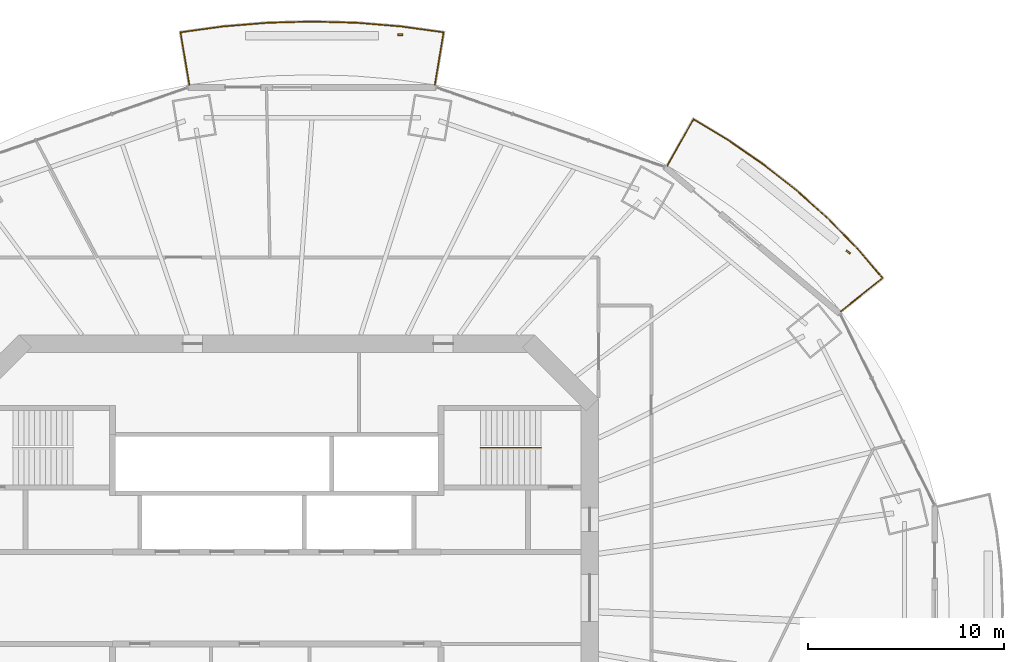
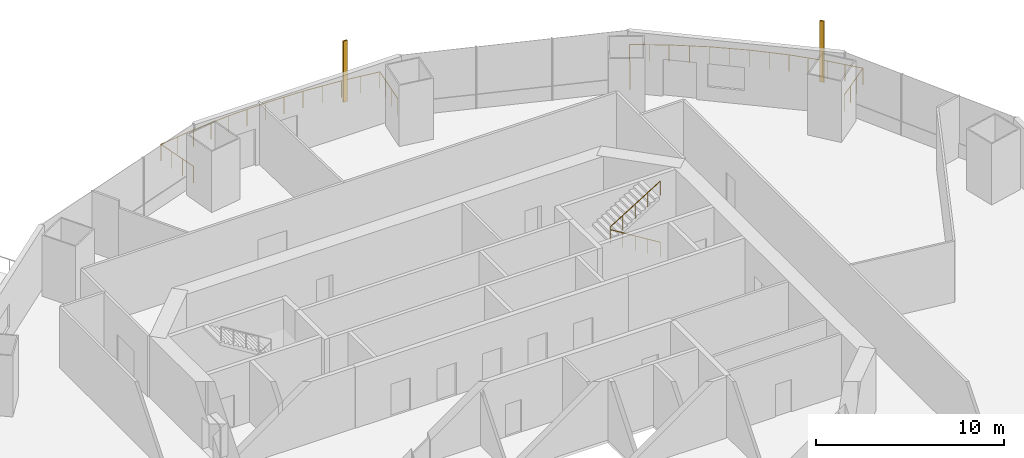
# One storey, part 18 of 20: 3 railings, 2 shading devices.
"""IFC4 building model written with IfcOpenShell, lengths in metres."""

from ifc_helpers import new_model, si_unit, direction, frame, origin, origin_2d, place, context, subcontext, project, spatial, rectangle, circle, extrude, material, material_profile, profile_set, type_object, element, save


model = new_model("IFC4")

# Units and contexts
model_context = context("Model", 3, precision=1e-05, world=origin(), true_north=direction((0.0, 1.0)))
body_context = subcontext(model_context, "Body", "Model", "MODEL_VIEW")
ifc_project = project(units=[si_unit("LENGTHUNIT", "METRE"), si_unit("AREAUNIT", "SQUARE_METRE"), si_unit("VOLUMEUNIT", "CUBIC_METRE"), si_unit("PLANEANGLEUNIT", "RADIAN"), si_unit("MASSUNIT", "GRAM", prefix="KILO")], contexts=[model_context])

# Site, building, storey
site_placement = place(None, origin())
site = spatial("IfcSite", under=ifc_project, at=site_placement, CompositionType="ELEMENT")
building_placement = place(site_placement, origin())
building = spatial("IfcBuilding", under=site, at=building_placement, Name="Marenthal Gate Tower", CompositionType="ELEMENT")
storey_placement = place(building_placement, frame((0.0, 0.0, 177.64990234375)))
storey = spatial("IfcBuildingStorey", under=building, at=storey_placement, Name="L38", CompositionType="ELEMENT", Elevation=177.64990234375)

# Railings
ifc_material_1 = material(Name="Stainless steel", Category="steel")
railing_type_1 = type_object("IfcRailingType", Name="Balcony guard 1100", PredefinedType="GUARDRAIL", material=ifc_material_1)
railing_1_placement = place(storey_placement, frame((19.968505859375, 22.09814453125, 0.0)))
element("IfcRailing", 1, at=railing_1_placement, inside=storey, type_object=railing_type_1, Name="Balcony guard L38 bay 2", PredefinedType="GUARDRAIL", context=body_context, shape_type="SweptSolid", body=[
    extrude(circle(Radius=0.02392578125, at=origin_2d()), frame((0.0, 0.0, 1.076171875), z_axis=(0.489441680074, 0.871913341327, -0.014627611634), x_axis=(-0.87200663665, 0.489494050668, 0.0)), (0.0, 0.0, 1.0), 2.720458984375),
    extrude(circle(Radius=0.02392578125, at=origin_2d()), frame((1.33154296875, 2.3720703125, 1.0361328125), z_axis=(0.856264483042, -0.516537641494, 0.0), x_axis=(0.516537641494, 0.856264483042, 0.0)), (0.0, 0.0, 1.0), 2.1083984375),
    extrude(circle(Radius=0.02392578125, at=origin_2d()), frame((3.136962890625, 1.282958984375, 1.0361328125), z_axis=(0.823473734687, -0.567354393903, 0.0), x_axis=(0.567354393903, 0.823473734687, 0.0)), (0.0, 0.0, 1.0), 2.17041015625),
    extrude(circle(Radius=0.02392578125, at=origin_2d()), frame((4.92431640625, 0.051513671875, 1.0361328125), z_axis=(0.786129411557, -0.618061929167, 0.0), x_axis=(0.618061929167, 0.786129411557, 0.0)), (0.0, 0.0, 1.0), 2.15283203125),
    extrude(circle(Radius=0.02392578125, at=origin_2d()), frame((6.61669921875, -1.279052734375, 1.0361328125), z_axis=(0.744606691868, -0.66750346398, 0.0), x_axis=(0.66750346398, 0.744606691868, 0.0)), (0.0, 0.0, 1.0), 2.13427734375),
    extrude(circle(Radius=0.02392578125, at=origin_2d()), frame((8.205810546875, -2.70361328125, 1.0361328125), z_axis=(0.699100590935, -0.715023330916, 0.0), x_axis=(0.715023330916, 0.699100590935, 0.0)), (0.0, 0.0, 1.0), 2.115966796875),
    extrude(circle(Radius=0.02392578125, at=origin_2d()), frame((9.68505859375, -4.216552734375, 1.0361328125), z_axis=(0.650183496944, -0.759777217546, 0.0), x_axis=(0.759777217546, 0.650183496944, 0.0)), (0.0, 0.0, 1.0), 2.018310546875),
    extrude(circle(Radius=0.02392578125, at=origin_2d()), frame((10.997314453125, -5.75, 1.0361328125), z_axis=(-0.782620644896, -0.622327012811, 0.014629262055), x_axis=(0.622393617256, -0.78270440474, 0.0)), (0.0, 0.0, 1.0), 2.72021484375),
    extrude(circle(Radius=0.02099609375, at=origin_2d()), origin(), (0.0, 0.0, 1.0), 1.052001953125),
    extrude(circle(Radius=0.02099609375, at=origin_2d()), frame((0.44384765625, 0.790771484375, -0.01318359375)), (0.0, 0.0, 1.0), 1.052001953125),
    extrude(circle(Radius=0.02099609375, at=origin_2d()), frame((0.8876953125, 1.581298828125, -0.026611328125)), (0.0, 0.0, 1.0), 1.052001953125),
    extrude(circle(Radius=0.02099609375, at=origin_2d()), frame((1.33154296875, 2.3720703125, -0.039794921875)), (0.0, 0.0, 1.0), 1.052001953125),
    extrude(circle(Radius=0.02099609375, at=origin_2d()), frame((2.234375, 1.82763671875, -0.039794921875)), (0.0, 0.0, 1.0), 1.052001953125),
    extrude(circle(Radius=0.02099609375, at=origin_2d()), frame((3.136962890625, 1.282958984375, -0.039794921875)), (0.0, 0.0, 1.0), 1.052001953125),
    extrude(circle(Radius=0.02099609375, at=origin_2d()), frame((4.03076171875, 0.667236328125, -0.039794921875)), (0.0, 0.0, 1.0), 1.052001953125),
    extrude(circle(Radius=0.02099609375, at=origin_2d()), frame((4.92431640625, 0.051513671875, -0.039794921875)), (0.0, 0.0, 1.0), 1.052001953125),
    extrude(circle(Radius=0.02099609375, at=origin_2d()), frame((5.7705078125, -0.61376953125, -0.039794921875)), (0.0, 0.0, 1.0), 1.052001953125),
    extrude(circle(Radius=0.02099609375, at=origin_2d()), frame((6.61669921875, -1.279052734375, -0.039794921875)), (0.0, 0.0, 1.0), 1.052001953125),
    extrude(circle(Radius=0.02099609375, at=origin_2d()), frame((7.4111328125, -1.9912109375, -0.039794921875)), (0.0, 0.0, 1.0), 1.052001953125),
    extrude(circle(Radius=0.02099609375, at=origin_2d()), frame((8.205810546875, -2.70361328125, -0.039794921875)), (0.0, 0.0, 1.0), 1.052001953125),
    extrude(circle(Radius=0.02099609375, at=origin_2d()), frame((8.9453125, -3.4599609375, -0.039794921875)), (0.0, 0.0, 1.0), 1.052001953125),
    extrude(circle(Radius=0.02099609375, at=origin_2d()), frame((9.68505859375, -4.216552734375, -0.039794921875)), (0.0, 0.0, 1.0), 1.052001953125),
    extrude(circle(Radius=0.02099609375, at=origin_2d()), frame((10.34130859375, -4.9833984375, -0.039794921875)), (0.0, 0.0, 1.0), 1.052001953125),
    extrude(circle(Radius=0.02099609375, at=origin_2d()), frame((10.997314453125, -5.75, -0.039794921875)), (0.0, 0.0, 1.0), 1.052001953125),
    extrude(circle(Radius=0.02099609375, at=origin_2d()), frame((10.28759765625, -6.314208984375, -0.026611328125)), (0.0, 0.0, 1.0), 1.052001953125),
    extrude(circle(Radius=0.02099609375, at=origin_2d()), frame((9.578125, -6.878662109375, -0.01318359375)), (0.0, 0.0, 1.0), 1.052001953125),
    extrude(circle(Radius=0.02099609375, at=origin_2d()), frame((8.868408203125, -7.44287109375, 0.0)), (0.0, 0.0, 1.0), 1.052001953125),
])
railing_2_placement = place(storey_placement, frame((-4.4765625, 26.23388671875, 0.0)))
element("IfcRailing", 2, at=railing_2_placement, inside=storey, type_object=railing_type_1, Name="Balcony guard L38 bay 4", PredefinedType="GUARDRAIL", context=body_context, shape_type="SweptSolid", body=[
    extrude(circle(Radius=0.02392578125, at=origin_2d()), frame((0.0, 0.0, 1.076171875), z_axis=(-0.164788911801, 0.986220350145, -0.014629952409), x_axis=(-0.986325910177, -0.164806549971, 0.0)), (0.0, 0.0, 1.0), 2.72021484375),
    extrude(circle(Radius=0.02392578125, at=origin_2d()), frame((-0.4482421875, 2.6826171875, 1.0361328125), z_axis=(0.990666259572, 0.136309802087, 0.0), x_axis=(-0.136309802087, 0.990666259572, 0.0)), (0.0, 0.0, 1.0), 2.194091796875),
    extrude(circle(Radius=0.02392578125, at=origin_2d()), frame((1.725341796875, 2.981689453125, 1.0361328125), z_axis=(0.996600219709, 0.082389332289, 0.0), x_axis=(-0.082389332289, 0.996600219709, 0.0)), (0.0, 0.0, 1.0), 2.27880859375),
    extrude(circle(Radius=0.02392578125, at=origin_2d()), frame((3.996337890625, 3.16943359375, 1.0361328125), z_axis=(0.999621648056, 0.027505649202, 0.0), x_axis=(-0.027505649202, 0.999621648056, 0.0)), (0.0, 0.0, 1.0), 2.28125),
    extrude(circle(Radius=0.02392578125, at=origin_2d()), frame((6.276611328125, 3.232177734375, 1.0361328125), z_axis=(0.999621567071, -0.027508592219, 0.0), x_axis=(0.027508592219, 0.999621567071, 0.0)), (0.0, 0.0, 1.0), 2.281005859375),
    extrude(circle(Radius=0.02392578125, at=origin_2d()), frame((8.556640625, 3.16943359375, 1.0361328125), z_axis=(0.996600946848, -0.082380536185, 0.0), x_axis=(0.082380536185, 0.996600946848, 0.0)), (0.0, 0.0, 1.0), 2.279052734375),
    extrude(circle(Radius=0.02392578125, at=origin_2d()), frame((10.827880859375, 2.981689453125, 1.0361328125), z_axis=(0.990666259572, -0.136309802087, 0.0), x_axis=(0.136309802087, 0.990666259572, 0.0)), (0.0, 0.0, 1.0), 2.194091796875),
    extrude(circle(Radius=0.02392578125, at=origin_2d()), frame((13.00146484375, 2.6826171875, 1.0361328125), z_axis=(-0.164788911801, -0.986220350145, 0.014629952409), x_axis=(0.986325910177, -0.164806549971, 0.0)), (0.0, 0.0, 1.0), 2.72021484375),
    extrude(circle(Radius=0.02099609375, at=origin_2d()), origin(), (0.0, 0.0, 1.0), 1.052001953125),
    extrude(circle(Radius=0.02099609375, at=origin_2d()), frame((-0.1494140625, 0.894287109375, -0.01318359375)), (0.0, 0.0, 1.0), 1.052001953125),
    extrude(circle(Radius=0.02099609375, at=origin_2d()), frame((-0.298828125, 1.788330078125, -0.026611328125)), (0.0, 0.0, 1.0), 1.052001953125),
    extrude(circle(Radius=0.02099609375, at=origin_2d()), frame((-0.4482421875, 2.6826171875, -0.039794921875)), (0.0, 0.0, 1.0), 1.052001953125),
    extrude(circle(Radius=0.02099609375, at=origin_2d()), frame((0.638671875, 2.83203125, -0.039794921875)), (0.0, 0.0, 1.0), 1.052001953125),
    extrude(circle(Radius=0.02099609375, at=origin_2d()), frame((1.725341796875, 2.981689453125, -0.039794921875)), (0.0, 0.0, 1.0), 1.052001953125),
    extrude(circle(Radius=0.02099609375, at=origin_2d()), frame((2.86083984375, 3.07568359375, -0.039794921875)), (0.0, 0.0, 1.0), 1.052001953125),
    extrude(circle(Radius=0.02099609375, at=origin_2d()), frame((3.996337890625, 3.16943359375, -0.039794921875)), (0.0, 0.0, 1.0), 1.052001953125),
    extrude(circle(Radius=0.02099609375, at=origin_2d()), frame((5.136474609375, 3.20068359375, -0.039794921875)), (0.0, 0.0, 1.0), 1.052001953125),
    extrude(circle(Radius=0.02099609375, at=origin_2d()), frame((6.276611328125, 3.232177734375, -0.039794921875)), (0.0, 0.0, 1.0), 1.052001953125),
    extrude(circle(Radius=0.02099609375, at=origin_2d()), frame((7.41650390625, 3.20068359375, -0.039794921875)), (0.0, 0.0, 1.0), 1.052001953125),
    extrude(circle(Radius=0.02099609375, at=origin_2d()), frame((8.556640625, 3.16943359375, -0.039794921875)), (0.0, 0.0, 1.0), 1.052001953125),
    extrude(circle(Radius=0.02099609375, at=origin_2d()), frame((9.6923828125, 3.07568359375, -0.039794921875)), (0.0, 0.0, 1.0), 1.052001953125),
    extrude(circle(Radius=0.02099609375, at=origin_2d()), frame((10.827880859375, 2.981689453125, -0.039794921875)), (0.0, 0.0, 1.0), 1.052001953125),
    extrude(circle(Radius=0.02099609375, at=origin_2d()), frame((11.91455078125, 2.83203125, -0.039794921875)), (0.0, 0.0, 1.0), 1.052001953125),
    extrude(circle(Radius=0.02099609375, at=origin_2d()), frame((13.00146484375, 2.6826171875, -0.039794921875)), (0.0, 0.0, 1.0), 1.052001953125),
    extrude(circle(Radius=0.02099609375, at=origin_2d()), frame((12.85205078125, 1.788330078125, -0.026611328125)), (0.0, 0.0, 1.0), 1.052001953125),
    extrude(circle(Radius=0.02099609375, at=origin_2d()), frame((12.70263671875, 0.894287109375, -0.01318359375)), (0.0, 0.0, 1.0), 1.052001953125),
    extrude(circle(Radius=0.02099609375, at=origin_2d()), frame((12.55322265625, 0.0, 0.0)), (0.0, 0.0, 1.0), 1.052001953125),
])
ifc_material_2 = material(Name="Stainless steel", Category="steel")
railing_type_2 = type_object("IfcRailingType", Name="Stair handrail", PredefinedType="HANDRAIL", material=ifc_material_2)
railing_3_placement = place(storey_placement, frame((13.5, 7.675048828125, 0.173095703125)))
element("IfcRailing", 3, at=railing_3_placement, inside=storey, type_object=railing_type_2, Name="Handrail ST3", PredefinedType="HANDRAIL", context=body_context, shape_type="SweptSolid", body=[
    extrude(circle(Radius=0.0224609375, at=origin_2d()), frame((0.0, 0.0, 0.927490234375), z_axis=(-0.850835241893, 0.0, 0.525432575268), x_axis=(0.0, -1.0, 0.0)), (0.0, 0.0, 1.0), 3.6201171875),
    extrude(circle(Radius=0.0224609375, at=origin_2d()), frame((-3.080078125, 0.0, 2.82958984375), z_axis=(0.0, 0.0, 1.0), x_axis=(1.0, 0.0, 0.0)), (0.0, 0.0, 1.0), 0.1728515625),
    extrude(circle(Radius=0.0224609375, at=origin_2d()), frame((-3.080078125, 0.0, 3.00244140625), z_axis=(0.850835241893, 0.0, 0.525432575268), x_axis=(0.0, 1.0, 0.0)), (0.0, 0.0, 1.0), 3.6201171875),
    extrude(circle(Radius=0.02001953125, at=origin_2d()), origin(), (0.0, 0.0, 1.0), 0.905029296875),
    extrude(circle(Radius=0.02001953125, at=origin_2d()), frame((-0.77001953125, 0.0, 0.4755859375)), (0.0, 0.0, 1.0), 0.905029296875),
    extrude(circle(Radius=0.02001953125, at=origin_2d()), frame((-1.5400390625, 0.0, 0.951171875)), (0.0, 0.0, 1.0), 0.905029296875),
    extrude(circle(Radius=0.02001953125, at=origin_2d()), frame((-2.31005859375, 0.0, 1.426513671875)), (0.0, 0.0, 1.0), 0.905029296875),
    extrude(circle(Radius=0.02001953125, at=origin_2d()), frame((-3.080078125, 0.0, 1.902099609375)), (0.0, 0.0, 1.0), 0.905029296875),
    extrude(circle(Radius=0.02001953125, at=origin_2d()), frame((-3.080078125, 0.0, 2.074951171875)), (0.0, 0.0, 1.0), 0.905029296875),
    extrude(circle(Radius=0.02001953125, at=origin_2d()), frame((-2.31005859375, 0.0, 2.550537109375)), (0.0, 0.0, 1.0), 0.905029296875),
    extrude(circle(Radius=0.02001953125, at=origin_2d()), frame((-1.5400390625, 0.0, 3.02587890625)), (0.0, 0.0, 1.0), 0.905029296875),
    extrude(circle(Radius=0.02001953125, at=origin_2d()), frame((-0.77001953125, 0.0, 3.50146484375)), (0.0, 0.0, 1.0), 0.905029296875),
    extrude(circle(Radius=0.02001953125, at=origin_2d()), frame((0.0, 0.0, 3.97705078125)), (0.0, 0.0, 1.0), 0.905029296875),
])

# Shading devices
ifc_material_3 = material(Name="Terracotta", Category="masonry")
ifc_material_profile = material_profile(ifc_material_3, rectangle(XDim=0.25, YDim=0.080078125, at=origin_2d()), Name="Terracotta baguette 250x80")
ifc_profile_set = profile_set([ifc_material_profile], Name="Terracotta")
shading_device_type = type_object("IfcShadingDeviceType", Name="Terracotta BAGUETTE SCREEN 250x80", PredefinedType="USERDEFINED", material=ifc_profile_set)
for number, where, z_axis, x_axis, name in (
    (4, (29.217529296875, 17.68359375, -0.039794921875), (0.0, 0.0, 1.0), (-0.765850387542, 0.643018805247, 0.0), "Terracotta BAGUETTE L38 bay 2L"),
    (5, (6.316650390625, 28.791015625, -0.039794921875), (0.0, 0.0, 1.0), (-1.0, 0.0, 0.0), "Terracotta BAGUETTE L38 bay 4L"),
):
    element("IfcShadingDevice", number, at=place(storey_placement, frame(where, z_axis=z_axis, x_axis=x_axis)), inside=storey, type_object=shading_device_type, Name=name, ObjectType="BAGUETTE SCREEN", PredefinedType="USERDEFINED", context=body_context, shape_type="SweptSolid", body=[
        extrude(rectangle(XDim=0.25, YDim=0.080078125, at=origin_2d()), origin(), (0.0, 0.0, 1.0), 3.969970703125),
    ])

save(model, "model.ifc")
